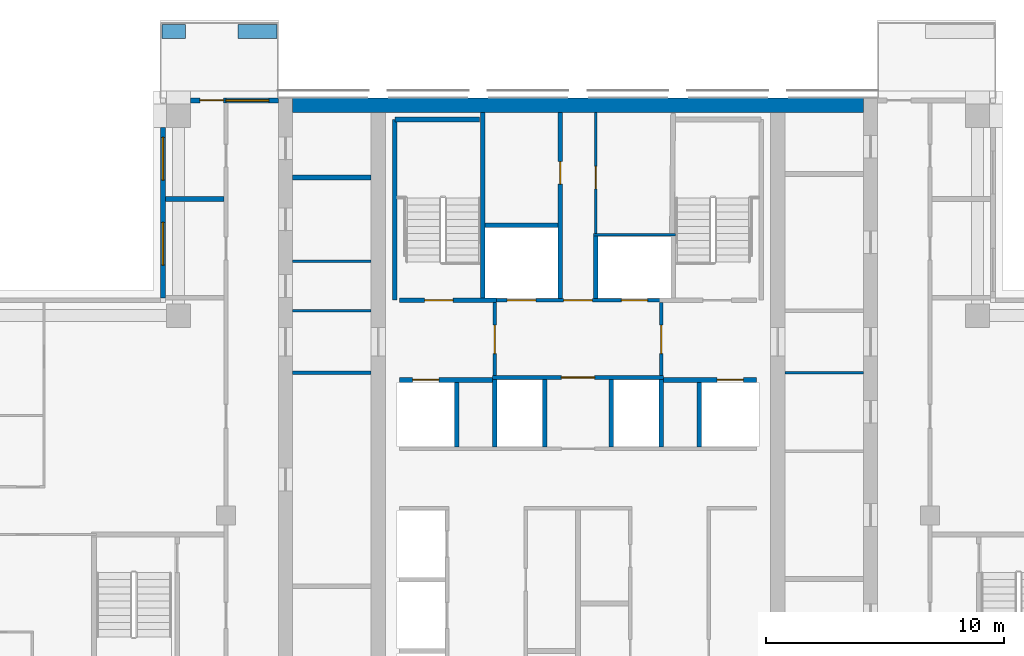
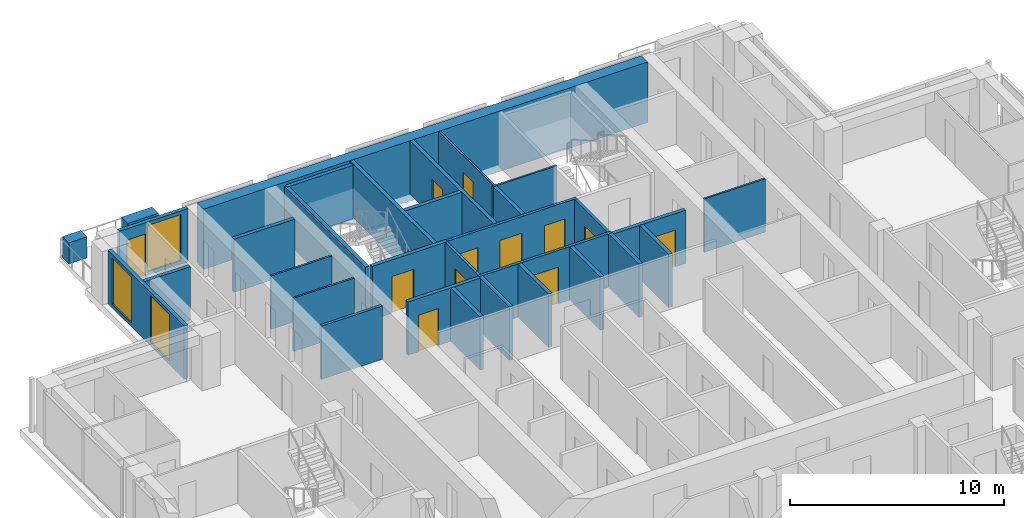
# One storey, part 12 of 17: 32 walls, 12 doors, 3 windows, 15 openings.
"""IFC4 building model written with IfcOpenShell, lengths in metres."""

import ifcopenshell
import ifcopenshell.guid

model = None  # the IFC model being written
_history = None  # IfcOwnerHistory: only IFC2X3 demands one
_inside = {}  # id of a spatial element -> (the spatial element, [elements in it])
_under = {}  # id of a project, library or spatial element -> (it, [spatial elements below it])
_declared = {}  # id of a project -> (the project, [libraries it declares])
_typed = {}  # id of a type object -> (the type object, [elements of that type])
_made_of = {}  # id of a material, layer set ... -> (it, [elements and type objects made of it])


def new_model(schema):
    """Start an empty IFC model of exactly this schema.

    Asked for "IFC4X3", IfcOpenShell would pick the latest addendum, in which some entities
    have other attributes; the version numbers below select the first issue.
    IFC2X3 requires an IfcOwnerHistory on every rooted entity: one is made here for all.
    """
    global model, _history
    if schema == "IFC4X3":
        model = ifcopenshell.file(schema_version=(4, 3, 0, 0))
    else:
        model = ifcopenshell.file(schema=schema)
    _inside.clear()
    _under.clear()
    _declared.clear()
    _typed.clear()
    _made_of.clear()
    _history = None
    if model.schema == "IFC2X3":
        org = make("IfcOrganization", Name="unknown")
        user = make(
            "IfcPersonAndOrganization",
            ThePerson=make("IfcPerson", FamilyName="unknown"),
            TheOrganization=org,
        )
        app = make(
            "IfcApplication",
            ApplicationDeveloper=org,
            Version="unknown",
            ApplicationFullName="unknown",
            ApplicationIdentifier="unknown",
        )
        _history = make(
            "IfcOwnerHistory",
            OwningUser=user,
            OwningApplication=app,
            ChangeAction="ADDED",
            CreationDate=0,
        )
    return model


def make(cls, **values):
    """One entity of the class cls with the attributes given. An attribute that is None is left unset."""
    return model.create_entity(
        cls, **{name: value for name, value in values.items() if value is not None}
    )


def rooted(cls, **values):
    """An entity with a GlobalId (a new one), such as an element, a storey or a relation."""
    return make(cls, GlobalId=ifcopenshell.guid.new(), OwnerHistory=_history, **values)


def si_unit(unit_type, name, prefix=None):
    """IfcSIUnit, for example si_unit("LENGTHUNIT", "METRE", prefix="MILLI")."""
    return make("IfcSIUnit", UnitType=unit_type, Prefix=prefix, Name=name)


def assignment(units):
    """IfcUnitAssignment: the units of a project."""
    return None if units is None else make("IfcUnitAssignment", Units=units)


def point(xyz):
    """IfcCartesianPoint."""
    return None if xyz is None else make("IfcCartesianPoint", Coordinates=xyz)


def direction(xyz):
    """IfcDirection."""
    return None if xyz is None else make("IfcDirection", DirectionRatios=xyz)


def frame(location, z_axis=None, x_axis=None):
    """IfcAxis2Placement3D, a coordinate frame: its origin and axes. An axis left out is left unset."""
    return make(
        "IfcAxis2Placement3D",
        Location=point(location),
        Axis=direction(z_axis),
        RefDirection=direction(x_axis),
    )


def frame_2d(location, x_axis=None):
    """IfcAxis2Placement2D, a coordinate frame in the plane: its origin and x axis."""
    return make(
        "IfcAxis2Placement2D", Location=point(location), RefDirection=direction(x_axis)
    )


def origin():
    """The frame at (0, 0, 0) with its axes left unset."""
    return frame((0.0, 0.0, 0.0))


def place(relative_to, where):
    """IfcLocalPlacement: puts the frame where relative to a parent placement (None: the world)."""
    return make(
        "IfcLocalPlacement", PlacementRelTo=relative_to, RelativePlacement=where
    )


def context(
    kind, dimensions, precision=None, world=None, true_north=None, identifier=None
):
    """IfcGeometricRepresentationContext, for example the 3D "Model" context."""
    return make(
        "IfcGeometricRepresentationContext",
        ContextIdentifier=identifier,
        ContextType=kind,
        CoordinateSpaceDimension=dimensions,
        Precision=precision,
        WorldCoordinateSystem=world,
        TrueNorth=true_north,
    )


def subcontext(parent, identifier, kind, view, scale=None):
    """IfcGeometricRepresentationSubContext, for example "Body" below "Model"."""
    return make(
        "IfcGeometricRepresentationSubContext",
        ContextIdentifier=identifier,
        ContextType=kind,
        ParentContext=parent,
        TargetScale=scale,
        TargetView=view,
    )


def project(units=None, contexts=None):
    """IfcProject with its units and contexts."""
    return rooted(
        "IfcProject",
        Name="project",
        RepresentationContexts=contexts,
        UnitsInContext=assignment(units),
    )


def spatial(cls, under=None, at=None, **own):
    """A site, building, storey or space (cls), placed at a placement, below another one or the project."""
    s = rooted(cls, ObjectPlacement=at, **own)
    if under is not None:
        _under.setdefault(under.id(), (under, []))[1].append(s)
    return s


def profile(cls, at=None, kind="AREA", **sizes):
    """A parametric profile (cls). Its sizes go by their IFC names, for example OverallWidth=200.0."""
    return make(cls, ProfileType=kind, Position=at, **sizes)


def rectangle(**sizes):
    """IfcRectangleProfileDef."""
    return profile("IfcRectangleProfileDef", **sizes)


def extrude(swept, where, along, depth):
    """IfcExtrudedAreaSolid: the profile swept, set in the frame where, extruded along a direction by depth."""
    return make(
        "IfcExtrudedAreaSolid",
        SweptArea=swept,
        Position=where,
        ExtrudedDirection=direction(along),
        Depth=depth,
    )


def shape(context_of_items, identifier, shape_type, items):
    """IfcShapeRepresentation: the items that make up one representation, for example the "Body"."""
    return make(
        "IfcShapeRepresentation",
        ContextOfItems=context_of_items,
        RepresentationIdentifier=identifier,
        RepresentationType=shape_type,
        Items=items,
    )


def material(Name=None, Category=None):
    """IfcMaterial."""
    return make("IfcMaterial", Name=Name, Category=Category)


def layer(
    of_material, thickness, ventilated=None, Name=None, Category=None, Priority=None
):
    """IfcMaterialLayer: one layer of a wall or slab, of a material (None: an air gap)."""
    return make(
        "IfcMaterialLayer",
        Material=of_material,
        LayerThickness=thickness,
        IsVentilated=ventilated,
        Name=Name,
        Category=Category,
        Priority=Priority,
    )


def layer_set(layers, Name=None):
    """IfcMaterialLayerSet."""
    return make("IfcMaterialLayerSet", MaterialLayers=layers, LayerSetName=Name)


def made_of(thing, what):
    """Note that an element or type object is made of a material, layer set ...; save() writes the relation."""
    if what is not None:
        _made_of.setdefault(what.id(), (what, []))[1].append(thing)
    return thing


def type_object(cls, material=None, **own):
    """A type object (cls), such as IfcWallType, which elements share."""
    return made_of(rooted(cls, **own), material)


def element(
    cls,
    number,
    at=None,
    inside=None,
    cuts=None,
    type_object=None,
    material=None,
    context=None,
    identifier="Body",
    shape_type=None,
    held_by="IfcProductDefinitionShape",
    body=None,
    shapes=None,
    **own,
):
    """One element of the class cls, such as IfcWall. Its Tag is "e" and its number.

    at: its placement. inside: the storey or other place that contains it. cuts: it is an
    opening in that element (IfcRelVoidsElement). A single representation is given by context,
    identifier, shape_type and body (its items); several are given by shapes. held_by: the class
    of the entity that holds the representations. save() writes the other relations.
    """
    e = rooted(cls, Tag="e%d" % number, ObjectPlacement=at, **own)
    if body is not None:
        shapes = [shape(context, identifier, shape_type, body)]
    if shapes is not None:
        e.Representation = make(held_by, Representations=shapes)
    if inside is not None:
        _inside.setdefault(inside.id(), (inside, []))[1].append(e)
    if cuts is not None:
        rooted(
            "IfcRelVoidsElement", RelatingBuildingElement=cuts, RelatedOpeningElement=e
        )
    if type_object is not None:
        _typed.setdefault(type_object.id(), (type_object, []))[1].append(e)
    return made_of(e, material)


def fill(opening, filler):
    """IfcRelFillsElement: the door or window that sits in an opening."""
    return rooted(
        "IfcRelFillsElement",
        RelatingOpeningElement=opening,
        RelatedBuildingElement=filler,
    )


def aggregate(whole, parts):
    """IfcRelAggregates: a whole, such as a stair, and the parts it consists of."""
    return rooted("IfcRelAggregates", RelatingObject=whole, RelatedObjects=parts)


def save(model, path):
    """Write the relations noted so far, then the file.

    IfcRelAggregates (storeys below a building ...), IfcRelContainedInSpatialStructure (elements
    in a storey), IfcRelDefinesByType, IfcRelAssociatesMaterial and IfcRelDeclares: one each for
    every whole, place, type object, material and project.
    """
    for whole, parts in _under.values():
        aggregate(whole, parts)
    for where, things in _inside.values():
        rooted(
            "IfcRelContainedInSpatialStructure",
            RelatedElements=things,
            RelatingStructure=where,
        )
    for kind, things in _typed.values():
        rooted("IfcRelDefinesByType", RelatedObjects=things, RelatingType=kind)
    for what, things in _made_of.values():
        rooted("IfcRelAssociatesMaterial", RelatedObjects=things, RelatingMaterial=what)
    for by, libraries in _declared.values():
        rooted("IfcRelDeclares", RelatingContext=by, RelatedDefinitions=libraries)
    model.write(path)


model = new_model("IFC4")

# Units and contexts
model_context = context("Model", 3, precision=1e-05, world=origin(), true_north=direction((0.0, 1.0)))
body_context = subcontext(model_context, "Body", "Model", "MODEL_VIEW")
ifc_project = project(units=[si_unit("LENGTHUNIT", "METRE"), si_unit("AREAUNIT", "SQUARE_METRE"), si_unit("VOLUMEUNIT", "CUBIC_METRE"), si_unit("PLANEANGLEUNIT", "RADIAN"), si_unit("MASSUNIT", "GRAM", prefix="KILO")], contexts=[model_context])

# Site, building, storey
site_placement = place(None, origin())
site = spatial("IfcSite", under=ifc_project, at=site_placement, CompositionType="ELEMENT")
building_placement = place(site_placement, origin())
building = spatial("IfcBuilding", under=site, at=building_placement, Name="Vermilion Ogive Tower", CompositionType="ELEMENT")
storey_placement = place(building_placement, frame((0.0, 0.0, 189.35009765625)))
storey = spatial("IfcBuildingStorey", under=building, at=storey_placement, Name="L49", CompositionType="ELEMENT", Elevation=189.35009765625)

# Walls
ifc_material_1 = material(Name="Concrete B60", Category="concrete")
ifc_layer_1 = layer(ifc_material_1, 0.60009765625)
ifc_layer_set_1 = layer_set([ifc_layer_1], Name="Core wall 600 B60")
wall_type_1 = type_object("IfcWallType", Name="Core wall 600 B60", PredefinedType="SHEAR", material=ifc_layer_set_1)
wall_1_placement = place(storey_placement, frame((-12.0, 21.449951171875, -0.400146484375), z_axis=(0.0, 0.0, 1.0), x_axis=(1.0, 0.0, 0.0)))
element("IfcWall", 1, at=wall_1_placement, inside=storey, type_object=wall_type_1, Name="L49-CORE-N", PredefinedType="SHEAR", context=body_context, shape_type="SweptSolid", body=[
    extrude(rectangle(XDim=24.0, YDim=0.60009765625, at=frame_2d((12.0, 0.0))), origin(), (0.0, 0.0, 1.0), 3.449951171875),
])
ifc_material_2 = material(Name="Gypsum board partition on steel studs", Category="steel")
ifc_layer_2 = layer(ifc_material_2, 0.10009765625)
ifc_layer_set_2 = layer_set([ifc_layer_2], Name="Partition 100 bath")
wall_type_2 = type_object("IfcWallType", Name="Partition 100 bath", PredefinedType="PARTITIONING", material=ifc_layer_set_2)
wall_2_placement = place(storey_placement, frame((0.64990234375, 16.0, 0.0), z_axis=(0.0, 0.0, 1.0), x_axis=(1.0, 0.0, 0.0)))
element("IfcWall", 2, at=wall_2_placement, inside=storey, type_object=wall_type_2, Name="L49-CK-W-W018", PredefinedType="PARTITIONING", context=body_context, shape_type="SweptSolid", body=[
    extrude(rectangle(XDim=3.4501953125, YDim=0.10009765625, at=frame_2d((1.72509765625, 0.0))), origin(), (0.0, 0.0, 1.0), 3.0498046875),
])

# Wall, opening, door
wall_3_placement = place(storey_placement, frame((0.75, 16.050048828125, 0.0), z_axis=(0.0, 0.0, 1.0), x_axis=(0.0, 1.0, 0.0)))
wall_3 = element("IfcWall", 3, at=wall_3_placement, inside=storey, type_object=wall_type_2, Name="L49-CK-W-W030", PredefinedType="PARTITIONING", context=body_context, shape_type="SweptSolid", body=[
    extrude(rectangle(XDim=5.098876953125, YDim=0.10009765625, at=frame_2d((2.54931640625, 0.0))), origin(), (0.0, 0.0, 1.0), 3.0498046875),
])
opening_1_placement = place(wall_3_placement, frame((1.875, 0.0, 0.0)))
opening_1 = element("IfcOpeningElement", 4, at=opening_1_placement, cuts=wall_3, Name="Opening DAA431", PredefinedType="OPENING", context=body_context, shape_type="SweptSolid", body=[
    extrude(rectangle(XDim=0.949951171875, YDim=2.10009765625, at=frame_2d((0.47509765625, 1.050048828125))), frame((0.0, 0.06005859375, 0.0), z_axis=(0.0, -1.0, 0.0), x_axis=(1.0, 0.0, 0.0)), (0.0, 0.0, 1.0), 0.1201171875),
])
ifc_material_3 = material(Name="Timber door leaf", Category="wood")
door_type_1 = type_object("IfcDoorType", Name="Service door 950 x 2100 FD60", OperationType="SINGLE_SWING_LEFT", PredefinedType="DOOR", material=ifc_material_3)
door_1_placement = place(opening_1_placement, origin())
door_1 = element("IfcDoor", 5, at=door_1_placement, inside=storey, type_object=door_type_1, Name="L49-CK-D-D022", OperationType="SINGLE_SWING_LEFT", OverallHeight=2.10009765625, OverallWidth=0.949951171875, PredefinedType="DOOR", context=body_context, shape_type="SweptSolid", body=[
    extrude(rectangle(XDim=0.949951171875, YDim=2.10009765625, at=frame_2d((0.47509765625, 1.050048828125))), frame((0.0, 0.02490234375, 0.0), z_axis=(0.0, -1.0, 0.0), x_axis=(1.0, 0.0, 0.0)), (0.0, 0.0, 1.0), 0.050048828125),
])
fill(opening_1, door_1)

# Walls
for number, where, z_axis, x_axis, name in (
    (6, (-11.9990234375, 12.800048828125, 0.0), (0.0, 0.0, 1.0), (1.0, 0.0, 0.0), "L49-CKW-W-W003"),
    (7, (-11.9990234375, 14.89111328125, 0.0), (0.0, 0.0, 1.0), (1.0, 0.0, 0.0), "L49-CKW-W-W004"),
    (8, (8.700927734375, 10.199951171875, 0.0), (0.0, 0.0, 1.0), (1.0, 0.0, 0.0), "L49-CKE-W-W004"),
):
    element("IfcWall", number, at=place(storey_placement, frame(where, z_axis=z_axis, x_axis=x_axis)), inside=storey, type_object=wall_type_2, Name=name, PredefinedType="PARTITIONING", context=body_context, shape_type="SweptSolid", body=[
        extrude(rectangle(XDim=3.298095703125, YDim=0.10009765625, at=frame_2d((1.64892578125, 0.0))), origin(), (0.0, 0.0, 1.0), 3.0498046875),
    ])

# Wall, opening, door
ifc_material_4 = material(Name="Gypsum board partition on steel studs", Category="steel")
ifc_layer_3 = layer(ifc_material_4, 0.14990234375)
ifc_layer_set_3 = layer_set([ifc_layer_3], Name="Partition 150 corridor")
wall_type_3 = type_object("IfcWallType", Name="Partition 150 corridor", PredefinedType="PARTITIONING", material=ifc_layer_set_3)
wall_4_placement = place(storey_placement, frame((-3.60009765625, 10.0, 0.0), z_axis=(0.0, 0.0, 1.0), x_axis=(1.0, 0.0, 0.0)))
wall_4 = element("IfcWall", 9, at=wall_4_placement, inside=storey, type_object=wall_type_3, Name="L49-CK-W-W014", PredefinedType="PARTITIONING", context=body_context, shape_type="SweptSolid", body=[
    extrude(rectangle(XDim=7.2001953125, YDim=0.14990234375, at=frame_2d((3.60009765625, 0.0))), origin(), (0.0, 0.0, 1.0), 3.0498046875),
])
opening_2_placement = place(wall_4_placement, frame((2.900146484375, 0.0, 0.0)))
opening_2 = element("IfcOpeningElement", 10, at=opening_2_placement, cuts=wall_4, Name="Opening DAA422", PredefinedType="OPENING", context=body_context, shape_type="SweptSolid", body=[
    extrude(rectangle(XDim=1.39990234375, YDim=2.10009765625, at=frame_2d((0.699951171875, 1.050048828125))), frame((0.0, 0.0849609375, 0.0), z_axis=(0.0, -1.0, 0.0), x_axis=(1.0, 0.0, 0.0)), (0.0, 0.0, 1.0), 0.169921875),
])
ifc_material_5 = material(Name="Timber door leaf", Category="wood")
door_type_2 = type_object("IfcDoorType", Name="Lobby door 1400 x 2100 FD60S", OperationType="SINGLE_SWING_LEFT", PredefinedType="DOOR", material=ifc_material_5)
door_2_placement = place(opening_2_placement, origin())
door_2 = element("IfcDoor", 11, at=door_2_placement, inside=storey, type_object=door_type_2, Name="L49-CK-D-D017", OperationType="SINGLE_SWING_RIGHT", OverallHeight=2.10009765625, OverallWidth=1.39990234375, PredefinedType="DOOR", context=body_context, shape_type="SweptSolid", body=[
    extrude(rectangle(XDim=1.39990234375, YDim=2.10009765625, at=frame_2d((0.699951171875, 1.050048828125))), frame((0.0, 0.02490234375, 0.0), z_axis=(0.0, -1.0, 0.0), x_axis=(1.0, 0.0, 0.0)), (0.0, 0.0, 1.0), 0.050048828125),
])
fill(opening_2, door_2)

# Wall, openings, doors
wall_5_placement = place(storey_placement, frame((-3.574951171875, 13.25, 0.0), z_axis=(0.0, 0.0, 1.0), x_axis=(1.0, 0.0, 0.0)))
wall_5 = element("IfcWall", 12, at=wall_5_placement, inside=storey, type_object=wall_type_3, Name="L49-CK-W-W016", PredefinedType="PARTITIONING", context=body_context, shape_type="SweptSolid", body=[
    extrude(rectangle(XDim=7.14990234375, YDim=0.14990234375, at=frame_2d((3.574951171875, 0.0))), origin(), (0.0, 0.0, 1.0), 3.0498046875),
])
opening_3_placement = place(wall_5_placement, frame((0.599853515625, 0.0, 0.0)))
opening_3 = element("IfcOpeningElement", 13, at=opening_3_placement, cuts=wall_5, Name="Opening DAA442", PredefinedType="OPENING", context=body_context, shape_type="SweptSolid", body=[
    extrude(rectangle(XDim=1.199951171875, YDim=2.10009765625, at=frame_2d((0.60009765625, 1.050048828125))), frame((0.0, 0.0849609375, 0.0), z_axis=(0.0, -1.0, 0.0), x_axis=(1.0, 0.0, 0.0)), (0.0, 0.0, 1.0), 0.169921875),
])
opening_4_placement = place(wall_5_placement, frame((5.39990234375, 0.0, 0.0)))
opening_4 = element("IfcOpeningElement", 14, at=opening_4_placement, cuts=wall_5, Name="Opening DAA441", PredefinedType="OPENING", context=body_context, shape_type="SweptSolid", body=[
    extrude(rectangle(XDim=1.10009765625, YDim=2.10009765625, at=frame_2d((0.550048828125, 1.050048828125))), frame((0.0, 0.0849609375, 0.0), z_axis=(0.0, -1.0, 0.0), x_axis=(1.0, 0.0, 0.0)), (0.0, 0.0, 1.0), 0.169921875),
])
opening_5_placement = place(wall_5_placement, frame((2.974853515625, 0.0, 0.0)))
opening_5 = element("IfcOpeningElement", 15, at=opening_5_placement, cuts=wall_5, Name="Opening DAA423", PredefinedType="OPENING", context=body_context, shape_type="SweptSolid", body=[
    extrude(rectangle(XDim=1.199951171875, YDim=2.10009765625, at=frame_2d((0.60009765625, 1.050048828125))), frame((0.0, 0.0849609375, 0.0), z_axis=(0.0, -1.0, 0.0), x_axis=(1.0, 0.0, 0.0)), (0.0, 0.0, 1.0), 0.169921875),
])
ifc_material_6 = material(Name="Stainless steel", Category="steel")
door_type_3 = type_object("IfcDoorType", Name="Lift landing door 1100 x 2100", OperationType="SLIDING_TO_LEFT", PredefinedType="DOOR", material=ifc_material_6)
door_3_placement = place(opening_4_placement, origin())
door_3 = element("IfcDoor", 16, at=door_3_placement, inside=storey, type_object=door_type_3, Name="L49-CK-D-D019", OperationType="SLIDING_TO_LEFT", OverallHeight=2.10009765625, OverallWidth=1.10009765625, PredefinedType="DOOR", context=body_context, shape_type="SweptSolid", body=[
    extrude(rectangle(XDim=1.10009765625, YDim=2.10009765625, at=frame_2d((0.550048828125, 1.050048828125))), frame((0.0, 0.02490234375, 0.0), z_axis=(0.0, -1.0, 0.0), x_axis=(1.0, 0.0, 0.0)), (0.0, 0.0, 1.0), 0.050048828125),
])
fill(opening_4, door_3)
ifc_material_7 = material(Name="Stainless steel", Category="steel")
door_type_4 = type_object("IfcDoorType", Name="Lift landing door 1200 x 2100", OperationType="SLIDING_TO_LEFT", PredefinedType="DOOR", material=ifc_material_7)
door_4_placement = place(opening_3_placement, origin())
door_4 = element("IfcDoor", 17, at=door_4_placement, inside=storey, type_object=door_type_4, Name="L49-CK-D-D018", OperationType="SLIDING_TO_RIGHT", OverallHeight=2.10009765625, OverallWidth=1.199951171875, PredefinedType="DOOR", context=body_context, shape_type="SweptSolid", body=[
    extrude(rectangle(XDim=1.199951171875, YDim=2.10009765625, at=frame_2d((0.60009765625, 1.050048828125))), frame((0.0, 0.02490234375, 0.0), z_axis=(0.0, -1.0, 0.0), x_axis=(1.0, 0.0, 0.0)), (0.0, 0.0, 1.0), 0.050048828125),
])
fill(opening_3, door_4)
ifc_material_8 = material(Name="Timber door leaf", Category="wood")
door_type_5 = type_object("IfcDoorType", Name="Service door 1200 x 2100 FD60", OperationType="SINGLE_SWING_LEFT", PredefinedType="DOOR", material=ifc_material_8)
door_5_placement = place(opening_5_placement, origin())
door_5 = element("IfcDoor", 18, at=door_5_placement, inside=storey, type_object=door_type_5, Name="L49-CK-D-D020", OperationType="SINGLE_SWING_RIGHT", OverallHeight=2.10009765625, OverallWidth=1.199951171875, PredefinedType="DOOR", context=body_context, shape_type="SweptSolid", body=[
    extrude(rectangle(XDim=1.199951171875, YDim=2.10009765625, at=frame_2d((0.60009765625, 1.050048828125))), frame((0.0, 0.02490234375, 0.0), z_axis=(0.0, -1.0, 0.0), x_axis=(1.0, 0.0, 0.0)), (0.0, 0.0, 1.0), 0.050048828125),
])
fill(opening_5, door_5)

# Wall, opening, door
wall_6_placement = place(storey_placement, frame((-3.5, 10.074951171875, 0.0), z_axis=(0.0, 0.0, 1.0), x_axis=(0.0, 1.0, 0.0)))
wall_6 = element("IfcWall", 19, at=wall_6_placement, inside=storey, type_object=wall_type_3, Name="L49-CK-W-W024", PredefinedType="PARTITIONING", context=body_context, shape_type="SweptSolid", body=[
    extrude(rectangle(XDim=3.074951171875, YDim=0.14990234375, at=frame_2d((1.53759765625, 0.0))), origin(), (0.0, 0.0, 1.0), 3.0498046875),
])
opening_6_placement = place(wall_6_placement, frame((0.925048828125, 0.0, 0.0)))
opening_6 = element("IfcOpeningElement", 20, at=opening_6_placement, cuts=wall_6, Name="Opening DAA419", PredefinedType="OPENING", context=body_context, shape_type="SweptSolid", body=[
    extrude(rectangle(XDim=1.199951171875, YDim=2.10009765625, at=frame_2d((0.60009765625, 1.050048828125))), frame((0.0, 0.0849609375, 0.0), z_axis=(0.0, -1.0, 0.0), x_axis=(1.0, 0.0, 0.0)), (0.0, 0.0, 1.0), 0.169921875),
])
ifc_material_9 = material(Name="Timber door leaf", Category="wood")
door_type_6 = type_object("IfcDoorType", Name="Lobby door 1200 x 2100 FD60S", OperationType="SINGLE_SWING_LEFT", PredefinedType="DOOR", material=ifc_material_9)
door_6_placement = place(opening_6_placement, origin())
door_6 = element("IfcDoor", 21, at=door_6_placement, inside=storey, type_object=door_type_6, Name="L49-CK-D-D023", OperationType="SINGLE_SWING_RIGHT", OverallHeight=2.10009765625, OverallWidth=1.199951171875, PredefinedType="DOOR", context=body_context, shape_type="SweptSolid", body=[
    extrude(rectangle(XDim=1.199951171875, YDim=2.10009765625, at=frame_2d((0.60009765625, 1.050048828125))), frame((0.0, 0.02490234375, 0.0), z_axis=(0.0, -1.0, 0.0), x_axis=(1.0, 0.0, 0.0)), (0.0, 0.0, 1.0), 0.050048828125),
])
fill(opening_6, door_6)

wall_7_placement = place(storey_placement, frame((3.5, 10.074951171875, 0.0), z_axis=(0.0, 0.0, 1.0), x_axis=(0.0, 1.0, 0.0)))
wall_7 = element("IfcWall", 22, at=wall_7_placement, inside=storey, type_object=wall_type_3, Name="L49-CK-W-W034", PredefinedType="PARTITIONING", context=body_context, shape_type="SweptSolid", body=[
    extrude(rectangle(XDim=3.074951171875, YDim=0.14990234375, at=frame_2d((1.53759765625, 0.0))), origin(), (0.0, 0.0, 1.0), 3.0498046875),
])
opening_7_placement = place(wall_7_placement, frame((0.925048828125, 0.0, 0.0)))
opening_7 = element("IfcOpeningElement", 23, at=opening_7_placement, cuts=wall_7, Name="Opening DAA420", PredefinedType="OPENING", context=body_context, shape_type="SweptSolid", body=[
    extrude(rectangle(XDim=1.199951171875, YDim=2.10009765625, at=frame_2d((0.60009765625, 1.050048828125))), frame((0.0, 0.0849609375, 0.0), z_axis=(0.0, -1.0, 0.0), x_axis=(1.0, 0.0, 0.0)), (0.0, 0.0, 1.0), 0.169921875),
])
door_7_placement = place(opening_7_placement, origin())
door_7 = element("IfcDoor", 24, at=door_7_placement, inside=storey, type_object=door_type_6, Name="L49-CK-D-D024", OperationType="SINGLE_SWING_LEFT", OverallHeight=2.10009765625, OverallWidth=1.199951171875, PredefinedType="DOOR", context=body_context, shape_type="SweptSolid", body=[
    extrude(rectangle(XDim=1.199951171875, YDim=2.10009765625, at=frame_2d((0.60009765625, 1.050048828125))), frame((0.0, 0.02490234375, 0.0), z_axis=(0.0, -1.0, 0.0), x_axis=(1.0, 0.0, 0.0)), (0.0, 0.0, 1.0), 0.050048828125),
])
fill(opening_7, door_7)

# Walls
wall_8_placement = place(storey_placement, frame((-11.9990234375, 10.199951171875, 0.0), z_axis=(0.0, 0.0, 1.0), x_axis=(1.0, 0.0, 0.0)))
element("IfcWall", 25, at=wall_8_placement, inside=storey, type_object=wall_type_3, Name="L49-CKW-W-W002", PredefinedType="PARTITIONING", context=body_context, shape_type="SweptSolid", body=[
    extrude(rectangle(XDim=3.298095703125, YDim=0.14990234375, at=frame_2d((1.64892578125, 0.0))), origin(), (0.0, 0.0, 1.0), 3.0498046875),
])
ifc_material_10 = material(Name="Gypsum board partition on steel studs", Category="steel")
ifc_layer_4 = layer(ifc_material_10, 0.199951171875)
ifc_layer_set_4 = layer_set([ifc_layer_4], Name="Partition 200 party")
wall_type_4 = type_object("IfcWallType", Name="Partition 200 party", PredefinedType="PARTITIONING", material=ifc_layer_set_4)
wall_9_placement = place(storey_placement, frame((-17.35009765625, 17.5, 0.0), z_axis=(0.0, 0.0, 1.0), x_axis=(1.0, 0.0, 0.0)))
element("IfcWall", 26, at=wall_9_placement, inside=storey, type_object=wall_type_4, Name="L49-W-W027", PredefinedType="PARTITIONING", context=body_context, shape_type="SweptSolid", body=[
    extrude(rectangle(XDim=2.47509765625, YDim=0.199951171875, at=frame_2d((1.237548828125, 0.0))), origin(), (0.0, 0.0, 1.0), 3.0498046875),
])

# Wall, opening, door
wall_10_placement = place(storey_placement, frame((-7.5, 9.89990234375, 0.0), z_axis=(0.0, 0.0, 1.0), x_axis=(1.0, 0.0, 0.0)))
wall_10 = element("IfcWall", 27, at=wall_10_placement, inside=storey, type_object=wall_type_4, Name="L49-CK-W-W012", PredefinedType="PARTITIONING", context=body_context, shape_type="SweptSolid", body=[
    extrude(rectangle(XDim=3.89990234375, YDim=0.199951171875, at=frame_2d((1.949951171875, 0.0))), origin(), (0.0, 0.0, 1.0), 3.0498046875),
])
opening_8_placement = place(wall_10_placement, frame((0.550048828125, 0.0, 0.0)))
opening_8 = element("IfcOpeningElement", 28, at=opening_8_placement, cuts=wall_10, Name="Opening DAA439", PredefinedType="OPENING", context=body_context, shape_type="SweptSolid", body=[
    extrude(rectangle(XDim=1.10009765625, YDim=2.10009765625, at=frame_2d((0.550048828125, 1.050048828125))), frame((0.0, 0.10986328125, 0.0), z_axis=(0.0, -1.0, 0.0), x_axis=(1.0, 0.0, 0.0)), (0.0, 0.0, 1.0), 0.219970703125),
])
door_8_placement = place(opening_8_placement, origin())
door_8 = element("IfcDoor", 29, at=door_8_placement, inside=storey, type_object=door_type_3, Name="L49-CK-D-D013", OperationType="SLIDING_TO_RIGHT", OverallHeight=2.10009765625, OverallWidth=1.10009765625, PredefinedType="DOOR", context=body_context, shape_type="SweptSolid", body=[
    extrude(rectangle(XDim=1.10009765625, YDim=2.10009765625, at=frame_2d((0.550048828125, 1.050048828125))), frame((0.0, 0.02490234375, 0.0), z_axis=(0.0, -1.0, 0.0), x_axis=(1.0, 0.0, 0.0)), (0.0, 0.0, 1.0), 0.050048828125),
])
fill(opening_8, door_8)

wall_11_placement = place(storey_placement, frame((3.60009765625, 9.89990234375, 0.0), z_axis=(0.0, 0.0, 1.0), x_axis=(1.0, 0.0, 0.0)))
wall_11 = element("IfcWall", 30, at=wall_11_placement, inside=storey, type_object=wall_type_4, Name="L49-CK-W-W013", PredefinedType="PARTITIONING", context=body_context, shape_type="SweptSolid", body=[
    extrude(rectangle(XDim=3.89990234375, YDim=0.199951171875, at=frame_2d((1.949951171875, 0.0))), origin(), (0.0, 0.0, 1.0), 3.0498046875),
])
opening_9_placement = place(wall_11_placement, frame((2.25, 0.0, 0.0)))
opening_9 = element("IfcOpeningElement", 31, at=opening_9_placement, cuts=wall_11, Name="Opening DAA440", PredefinedType="OPENING", context=body_context, shape_type="SweptSolid", body=[
    extrude(rectangle(XDim=1.10009765625, YDim=2.10009765625, at=frame_2d((0.550048828125, 1.050048828125))), frame((0.0, 0.10986328125, 0.0), z_axis=(0.0, -1.0, 0.0), x_axis=(1.0, 0.0, 0.0)), (0.0, 0.0, 1.0), 0.219970703125),
])
door_9_placement = place(opening_9_placement, origin())
door_9 = element("IfcDoor", 32, at=door_9_placement, inside=storey, type_object=door_type_3, Name="L49-CK-D-D015", OperationType="SLIDING_TO_LEFT", OverallHeight=2.10009765625, OverallWidth=1.10009765625, PredefinedType="DOOR", context=body_context, shape_type="SweptSolid", body=[
    extrude(rectangle(XDim=1.10009765625, YDim=2.10009765625, at=frame_2d((0.550048828125, 1.050048828125))), frame((0.0, 0.02490234375, 0.0), z_axis=(0.0, -1.0, 0.0), x_axis=(1.0, 0.0, 0.0)), (0.0, 0.0, 1.0), 0.050048828125),
])
fill(opening_9, door_9)

# Walls
wall_12_placement = place(storey_placement, frame((-3.89990234375, 16.39990234375, 0.0), z_axis=(0.0, 0.0, 1.0), x_axis=(1.0, 0.0, 0.0)))
element("IfcWall", 33, at=wall_12_placement, inside=storey, type_object=wall_type_4, Name="L49-CK-W-W019", PredefinedType="PARTITIONING", context=body_context, shape_type="SweptSolid", body=[
    extrude(rectangle(XDim=3.0498046875, YDim=0.199951171875, at=frame_2d((1.52490234375, 0.0))), origin(), (0.0, 0.0, 1.0), 3.0498046875),
])
wall_13_placement = place(storey_placement, frame((-5.10009765625, 7.074951171875, 0.0), z_axis=(0.0, 0.0, 1.0), x_axis=(0.0, 1.0, 0.0)))
element("IfcWall", 34, at=wall_13_placement, inside=storey, type_object=wall_type_4, Name="L49-CK-W-W021", PredefinedType="PARTITIONING", context=body_context, shape_type="SweptSolid", body=[
    extrude(rectangle(XDim=2.72509765625, YDim=0.199951171875, at=frame_2d((1.362548828125, 0.0))), origin(), (0.0, 0.0, 1.0), 3.0498046875),
])
for number, where, z_axis, x_axis, name in (
    (35, (-3.5, 7.074951171875, 0.0), (0.0, 0.0, 1.0), (0.0, 1.0, 0.0), "L49-CK-W-W023"),
    (36, (-1.39990234375, 7.074951171875, 0.0), (0.0, 0.0, 1.0), (0.0, 1.0, 0.0), "L49-CK-W-W026"),
):
    element("IfcWall", number, at=place(storey_placement, frame(where, z_axis=z_axis, x_axis=x_axis)), inside=storey, type_object=wall_type_4, Name=name, PredefinedType="PARTITIONING", context=body_context, shape_type="SweptSolid", body=[
        extrude(rectangle(XDim=2.85009765625, YDim=0.199951171875, at=frame_2d((1.425048828125, 0.0))), origin(), (0.0, 0.0, 1.0), 3.0498046875),
    ])

# Wall, opening, door
wall_14_placement = place(storey_placement, frame((-0.75, 13.324951171875, 0.0), z_axis=(0.0, 0.0, 1.0), x_axis=(0.0, 1.0, 0.0)))
wall_14 = element("IfcWall", 37, at=wall_14_placement, inside=storey, type_object=wall_type_4, Name="L49-CK-W-W027", PredefinedType="PARTITIONING", context=body_context, shape_type="SweptSolid", body=[
    extrude(rectangle(XDim=7.823974609375, YDim=0.199951171875, at=frame_2d((3.912109375, 0.0))), origin(), (0.0, 0.0, 1.0), 3.0498046875),
])
opening_10_placement = place(wall_14_placement, frame((4.800048828125, 0.0, 0.0)))
opening_10 = element("IfcOpeningElement", 38, at=opening_10_placement, cuts=wall_14, Name="Opening DAA430", PredefinedType="OPENING", context=body_context, shape_type="SweptSolid", body=[
    extrude(rectangle(XDim=0.949951171875, YDim=2.10009765625, at=frame_2d((0.47509765625, 1.050048828125))), frame((0.0, 0.10986328125, 0.0), z_axis=(0.0, -1.0, 0.0), x_axis=(1.0, 0.0, 0.0)), (0.0, 0.0, 1.0), 0.219970703125),
])
door_10_placement = place(opening_10_placement, origin())
door_10 = element("IfcDoor", 39, at=door_10_placement, inside=storey, type_object=door_type_1, Name="L49-CK-D-D021", OperationType="SINGLE_SWING_RIGHT", OverallHeight=2.10009765625, OverallWidth=0.949951171875, PredefinedType="DOOR", context=body_context, shape_type="SweptSolid", body=[
    extrude(rectangle(XDim=0.949951171875, YDim=2.10009765625, at=frame_2d((0.47509765625, 1.050048828125))), frame((0.0, 0.02490234375, 0.0), z_axis=(0.0, -1.0, 0.0), x_axis=(1.0, 0.0, 0.0)), (0.0, 0.0, 1.0), 0.050048828125),
])
fill(opening_10, door_10)

# Walls
wall_15_placement = place(storey_placement, frame((0.75, 13.324951171875, 0.0), z_axis=(0.0, 0.0, 1.0), x_axis=(0.0, 1.0, 0.0)))
element("IfcWall", 40, at=wall_15_placement, inside=storey, type_object=wall_type_4, Name="L49-CK-W-W029", PredefinedType="PARTITIONING", context=body_context, shape_type="SweptSolid", body=[
    extrude(rectangle(XDim=2.625, YDim=0.199951171875, at=frame_2d((1.3125, 0.0))), origin(), (0.0, 0.0, 1.0), 3.0498046875),
])
for number, where, z_axis, x_axis, name in (
    (41, (1.39990234375, 7.074951171875, 0.0), (0.0, 0.0, 1.0), (0.0, 1.0, 0.0), "L49-CK-W-W031"),
    (42, (3.5, 7.074951171875, 0.0), (0.0, 0.0, 1.0), (0.0, 1.0, 0.0), "L49-CK-W-W033"),
):
    element("IfcWall", number, at=place(storey_placement, frame(where, z_axis=z_axis, x_axis=x_axis)), inside=storey, type_object=wall_type_4, Name=name, PredefinedType="PARTITIONING", context=body_context, shape_type="SweptSolid", body=[
        extrude(rectangle(XDim=2.85009765625, YDim=0.199951171875, at=frame_2d((1.425048828125, 0.0))), origin(), (0.0, 0.0, 1.0), 3.0498046875),
    ])
wall_16_placement = place(storey_placement, frame((5.10009765625, 7.074951171875, 0.0), z_axis=(0.0, 0.0, 1.0), x_axis=(0.0, 1.0, 0.0)))
element("IfcWall", 43, at=wall_16_placement, inside=storey, type_object=wall_type_4, Name="L49-CK-W-W037", PredefinedType="PARTITIONING", context=body_context, shape_type="SweptSolid", body=[
    extrude(rectangle(XDim=2.72509765625, YDim=0.199951171875, at=frame_2d((1.362548828125, 0.0))), origin(), (0.0, 0.0, 1.0), 3.0498046875),
])
wall_17_placement = place(storey_placement, frame((-11.9990234375, 18.410888671875, 0.0), z_axis=(0.0, 0.0, 1.0), x_axis=(1.0, 0.0, 0.0)))
element("IfcWall", 44, at=wall_17_placement, inside=storey, type_object=wall_type_4, Name="L49-CKW-W-W005", PredefinedType="PARTITIONING", context=body_context, shape_type="SweptSolid", body=[
    extrude(rectangle(XDim=3.298095703125, YDim=0.199951171875, at=frame_2d((1.64892578125, 0.0))), origin(), (0.0, 0.0, 1.0), 3.0498046875),
])

# Wall, opening, door
ifc_material_11 = material(Name="Concrete B60", Category="concrete")
ifc_layer_5 = layer(ifc_material_11, 0.199951171875)
ifc_layer_set_5 = layer_set([ifc_layer_5], Name="Stair shaft wall 200 Concrete B60")
wall_type_5 = type_object("IfcWallType", Name="Stair shaft wall 200 Concrete B60", PredefinedType="SOLIDWALL", material=ifc_layer_set_5)
wall_18_placement = place(storey_placement, frame((-7.5, 13.25, 0.0), z_axis=(0.0, 0.0, 1.0), x_axis=(1.0, 0.0, 0.0)))
wall_18 = element("IfcWall", 45, at=wall_18_placement, inside=storey, type_object=wall_type_5, Name="L49-CK-W-W015", PredefinedType="SOLIDWALL", context=body_context, shape_type="SweptSolid", body=[
    extrude(rectangle(XDim=4.074951171875, YDim=0.199951171875, at=frame_2d((2.03759765625, 0.0))), origin(), (0.0, 0.0, 1.0), 3.0498046875),
])
opening_11_placement = place(wall_18_placement, frame((1.050048828125, 0.0, 0.0)))
opening_11 = element("IfcOpeningElement", 46, at=opening_11_placement, cuts=wall_18, Name="Opening DAA432", PredefinedType="OPENING", context=body_context, shape_type="SweptSolid", body=[
    extrude(rectangle(XDim=1.199951171875, YDim=2.10009765625, at=frame_2d((0.60009765625, 1.050048828125))), frame((0.0, 0.10986328125, 0.0), z_axis=(0.0, -1.0, 0.0), x_axis=(1.0, 0.0, 0.0)), (0.0, 0.0, 1.0), 0.219970703125),
])
ifc_material_12 = material(Name="Timber door leaf", Category="wood")
door_type_7 = type_object("IfcDoorType", Name="Stair door 1200 x 2100 FD60S", OperationType="SINGLE_SWING_LEFT", PredefinedType="DOOR", material=ifc_material_12)
door_11_placement = place(opening_11_placement, origin())
door_11 = element("IfcDoor", 47, at=door_11_placement, inside=storey, type_object=door_type_7, Name="L49-CK-D-D012", OperationType="SINGLE_SWING_LEFT", OverallHeight=2.10009765625, OverallWidth=1.199951171875, PredefinedType="DOOR", context=body_context, shape_type="SweptSolid", body=[
    extrude(rectangle(XDim=1.199951171875, YDim=2.10009765625, at=frame_2d((0.60009765625, 1.050048828125))), frame((0.0, 0.02490234375, 0.0), z_axis=(0.0, -1.0, 0.0), x_axis=(1.0, 0.0, 0.0)), (0.0, 0.0, 1.0), 0.050048828125),
])
fill(opening_11, door_11)

# Walls
wall_19_placement = place(storey_placement, frame((-4.0, 13.35009765625, 0.0), z_axis=(0.0, 0.0, 1.0), x_axis=(0.0, 1.0, 0.0)))
element("IfcWall", 48, at=wall_19_placement, inside=storey, type_object=wall_type_5, Name="L49-CK-W-W022", PredefinedType="SOLIDWALL", context=body_context, shape_type="SweptSolid", body=[
    extrude(rectangle(XDim=7.798828125, YDim=0.199951171875, at=frame_2d((3.8994140625, 0.0))), origin(), (0.0, 0.0, 1.0), 3.0498046875),
])
wall_20_placement = place(storey_placement, frame((-7.699951171875, 13.25, 0.0), z_axis=(0.0, 0.0, 1.0), x_axis=(0.0, 1.0, 0.0)))
element("IfcWall", 49, at=wall_20_placement, inside=storey, type_object=wall_type_5, Name="L49-SW-R018-W1", PredefinedType="SOLIDWALL", context=body_context, shape_type="SweptSolid", body=[
    extrude(rectangle(XDim=7.60009765625, YDim=0.199951171875, at=frame_2d((3.800048828125, 0.0))), origin(), (0.0, 0.0, 1.0), 3.0498046875),
])
wall_21_placement = place(storey_placement, frame((-7.699951171875, 20.85009765625, 0.0), z_axis=(0.0, 0.0, 1.0), x_axis=(1.0, 0.0, 0.0)))
element("IfcWall", 50, at=wall_21_placement, inside=storey, type_object=wall_type_5, Name="L49-SW-R018-N1", PredefinedType="SOLIDWALL", context=body_context, shape_type="SweptSolid", body=[
    extrude(rectangle(XDim=3.550048828125, YDim=0.199951171875, at=frame_2d((1.77490234375, 0.0))), origin(), (0.0, 0.0, 1.0), 3.0498046875),
])
ifc_material_13 = material(Name="Concrete B40", Category="concrete")
ifc_layer_6 = layer(ifc_material_13, 0.60009765625)
ifc_layer_set_6 = layer_set([ifc_layer_6], Name="Structural planter")
wall_type_6 = type_object("IfcWallType", Name="Structural planter", PredefinedType="USERDEFINED", material=ifc_layer_set_6)
wall_22_placement = place(storey_placement, frame((-12.659912109375, 24.550048828125, -0.0400390625), z_axis=(0.0, 0.0, 1.0), x_axis=(-1.0, 0.0, 0.0)))
element("IfcWall", 51, at=wall_22_placement, inside=storey, type_object=wall_type_6, Name="Planter N201A1", ObjectType="PLANTER", PredefinedType="USERDEFINED", context=body_context, shape_type="SweptSolid", body=[
    extrude(rectangle(XDim=1.64013671875, YDim=0.60009765625, at=frame_2d((0.820068359375, 0.0))), origin(), (0.0, 0.0, 1.0), 1.199951171875),
])
wall_23_placement = place(storey_placement, frame((-16.5, 24.550048828125, -0.0400390625), z_axis=(0.0, 0.0, 1.0), x_axis=(-1.0, 0.0, 0.0)))
element("IfcWall", 52, at=wall_23_placement, inside=storey, type_object=wall_type_6, Name="Planter N201A2", ObjectType="PLANTER", PredefinedType="USERDEFINED", context=body_context, shape_type="SweptSolid", body=[
    extrude(rectangle(XDim=0.989990234375, YDim=0.60009765625, at=frame_2d((0.4951171875, 0.0))), origin(), (0.0, 0.0, 1.0), 1.199951171875),
])

# Wall, openings, door, window
ifc_material_14 = material(Name="Aluminium window wall framing", Category="aluminium")
ifc_layer_7 = layer(ifc_material_14, 0.199951171875)
ifc_layer_set_7 = layer_set([ifc_layer_7], Name="Window wall")
wall_type_7 = type_object("IfcWallType", Name="Window wall", PredefinedType="STANDARD", material=ifc_layer_set_7)
wall_24_placement = place(storey_placement, frame((-12.60009765625, 21.64990234375, 0.0), z_axis=(0.0, 0.0, 1.0), x_axis=(-1.0, 0.0, 0.0)))
wall_24 = element("IfcWall", 53, at=wall_24_placement, inside=storey, type_object=wall_type_7, Name="Window wall N21", PredefinedType="STANDARD", context=body_context, shape_type="SweptSolid", body=[
    extrude(rectangle(XDim=3.699951171875, YDim=0.199951171875, at=frame_2d((1.85009765625, 0.0))), origin(), (0.0, 0.0, 1.0), 3.0498046875),
])
opening_12_placement = place(wall_24_placement, frame((0.39990234375, 0.0, 0.199951171875)))
opening_12 = element("IfcOpeningElement", 54, at=opening_12_placement, cuts=wall_24, Name="Opening W1-N296", PredefinedType="OPENING", context=body_context, shape_type="SweptSolid", body=[
    extrude(rectangle(XDim=1.800048828125, YDim=2.64990234375, at=frame_2d((0.89990234375, 1.324951171875))), frame((0.0, 0.10986328125, 0.0), z_axis=(0.0, -1.0, 0.0), x_axis=(1.0, 0.0, 0.0)), (0.0, 0.0, 1.0), 0.219970703125),
])
opening_13_placement = place(wall_24_placement, frame((2.300048828125, 0.0, 0.0)))
opening_13 = element("IfcOpeningElement", 55, at=opening_13_placement, cuts=wall_24, Name="Opening D1-N296", PredefinedType="OPENING", context=body_context, shape_type="SweptSolid", body=[
    extrude(rectangle(XDim=1.0, YDim=2.39990234375, at=frame_2d((0.5, 1.199951171875))), frame((0.0, 0.10986328125, 0.0), z_axis=(0.0, -1.0, 0.0), x_axis=(1.0, 0.0, 0.0)), (0.0, 0.0, 1.0), 0.219970703125),
])
ifc_material_15 = material(Name="Aluminium framed glazed door", Category="aluminium")
door_type_8 = type_object("IfcDoorType", Name="Balcony door D1", OperationType="SINGLE_SWING_LEFT", PredefinedType="DOOR", material=ifc_material_15)
door_12_placement = place(opening_13_placement, origin())
door_12 = element("IfcDoor", 56, at=door_12_placement, inside=storey, type_object=door_type_8, Name="Balcony door N296", OperationType="SINGLE_SWING_LEFT", OverallHeight=2.39990234375, OverallWidth=1.0, PredefinedType="DOOR", context=body_context, shape_type="SweptSolid", body=[
    extrude(rectangle(XDim=1.0, YDim=2.39990234375, at=frame_2d((0.5, 1.199951171875))), frame((0.0, 0.02490234375, 0.0), z_axis=(0.0, -1.0, 0.0), x_axis=(1.0, 0.0, 0.0)), (0.0, 0.0, 1.0), 0.050048828125),
])
fill(opening_13, door_12)
ifc_material_16 = material(Name="Aluminium framed double glazing", Category="aluminium")
window_type = type_object("IfcWindowType", Name="Guest window W1", PartitioningType="SINGLE_PANEL", PredefinedType="WINDOW", material=ifc_material_16)
window_1_placement = place(opening_12_placement, origin())
window_1 = element("IfcWindow", 57, at=window_1_placement, inside=storey, type_object=window_type, Name="Window N296", OverallHeight=2.64990234375, OverallWidth=1.800048828125, PartitioningType="SINGLE_PANEL", PredefinedType="WINDOW", context=body_context, shape_type="SweptSolid", body=[
    extrude(rectangle(XDim=1.800048828125, YDim=2.64990234375, at=frame_2d((0.89990234375, 1.324951171875))), frame((0.0, 0.030029296875, 0.0), z_axis=(0.0, -1.0, 0.0), x_axis=(1.0, 0.0, 0.0)), (0.0, 0.0, 1.0), 0.06005859375),
])
fill(opening_12, window_1)

# Wall, openings, windows
wall_25_placement = place(storey_placement, frame((-17.449951171875, 20.5, 0.0), z_axis=(0.0, 0.0, 1.0), x_axis=(0.0, -1.0, 0.0)))
wall_25 = element("IfcWall", 58, at=wall_25_placement, inside=storey, type_object=wall_type_7, Name="Window wall X51", PredefinedType="STANDARD", context=body_context, shape_type="SweptSolid", body=[
    extrude(rectangle(XDim=7.14990234375, YDim=0.199951171875, at=frame_2d((3.574951171875, 0.0))), origin(), (0.0, 0.0, 1.0), 3.0498046875),
])
opening_14_placement = place(wall_25_placement, frame((3.97509765625, 0.0, 0.199951171875)))
opening_14 = element("IfcOpeningElement", 59, at=opening_14_placement, cuts=wall_25, Name="Opening W1-X503", PredefinedType="OPENING", context=body_context, shape_type="SweptSolid", body=[
    extrude(rectangle(XDim=1.800048828125, YDim=2.64990234375, at=frame_2d((0.89990234375, 1.324951171875))), frame((0.0, 0.10986328125, 0.0), z_axis=(0.0, -1.0, 0.0), x_axis=(1.0, 0.0, 0.0)), (0.0, 0.0, 1.0), 0.219970703125),
])
opening_15_placement = place(wall_25_placement, frame((0.39990234375, 0.0, 0.199951171875)))
opening_15 = element("IfcOpeningElement", 60, at=opening_15_placement, cuts=wall_25, Name="Opening W1-X504", PredefinedType="OPENING", context=body_context, shape_type="SweptSolid", body=[
    extrude(rectangle(XDim=1.800048828125, YDim=2.64990234375, at=frame_2d((0.89990234375, 1.324951171875))), frame((0.0, 0.10986328125, 0.0), z_axis=(0.0, -1.0, 0.0), x_axis=(1.0, 0.0, 0.0)), (0.0, 0.0, 1.0), 0.219970703125),
])
window_2_placement = place(opening_14_placement, origin())
window_2 = element("IfcWindow", 61, at=window_2_placement, inside=storey, type_object=window_type, Name="Window X503", OverallHeight=2.64990234375, OverallWidth=1.800048828125, PartitioningType="SINGLE_PANEL", PredefinedType="WINDOW", context=body_context, shape_type="SweptSolid", body=[
    extrude(rectangle(XDim=1.800048828125, YDim=2.64990234375, at=frame_2d((0.89990234375, 1.324951171875))), frame((0.0, 0.030029296875, 0.0), z_axis=(0.0, -1.0, 0.0), x_axis=(1.0, 0.0, 0.0)), (0.0, 0.0, 1.0), 0.06005859375),
])
fill(opening_14, window_2)
window_3_placement = place(opening_15_placement, origin())
window_3 = element("IfcWindow", 62, at=window_3_placement, inside=storey, type_object=window_type, Name="Window X504", OverallHeight=2.64990234375, OverallWidth=1.800048828125, PartitioningType="SINGLE_PANEL", PredefinedType="WINDOW", context=body_context, shape_type="SweptSolid", body=[
    extrude(rectangle(XDim=1.800048828125, YDim=2.64990234375, at=frame_2d((0.89990234375, 1.324951171875))), frame((0.0, 0.030029296875, 0.0), z_axis=(0.0, -1.0, 0.0), x_axis=(1.0, 0.0, 0.0)), (0.0, 0.0, 1.0), 0.06005859375),
])
fill(opening_15, window_3)

save(model, "model.ifc")
